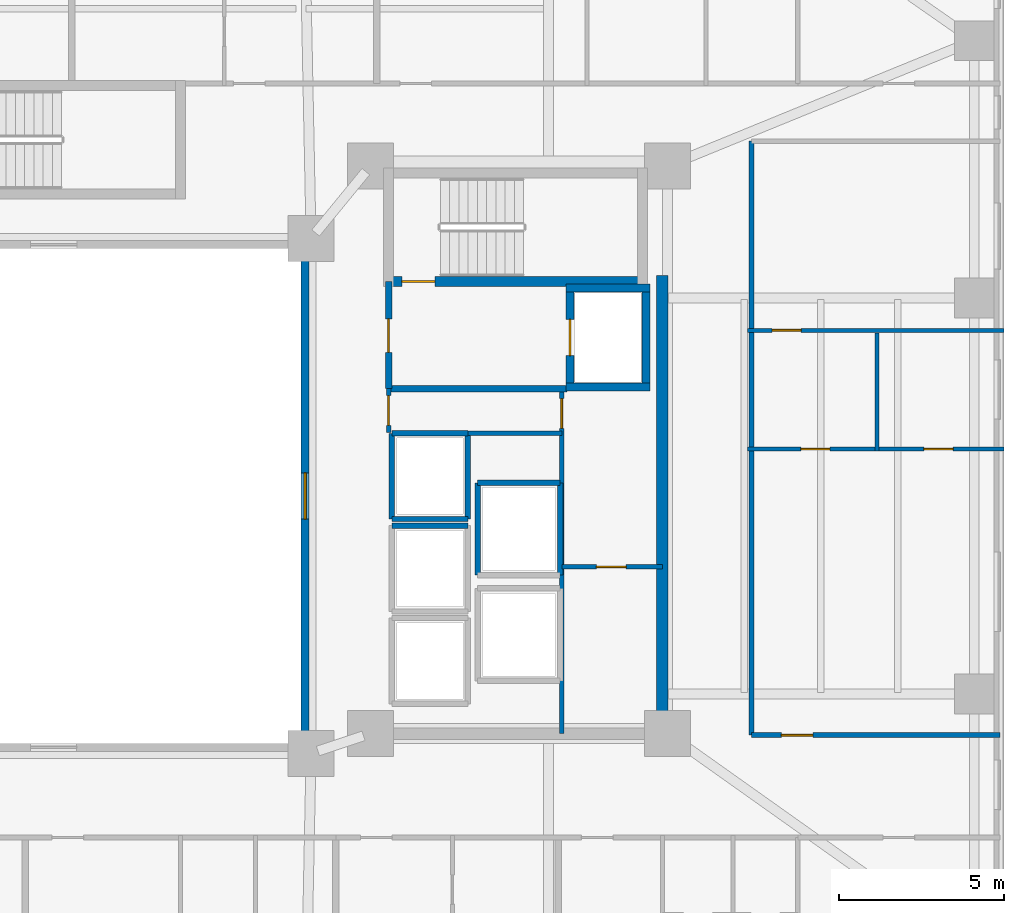
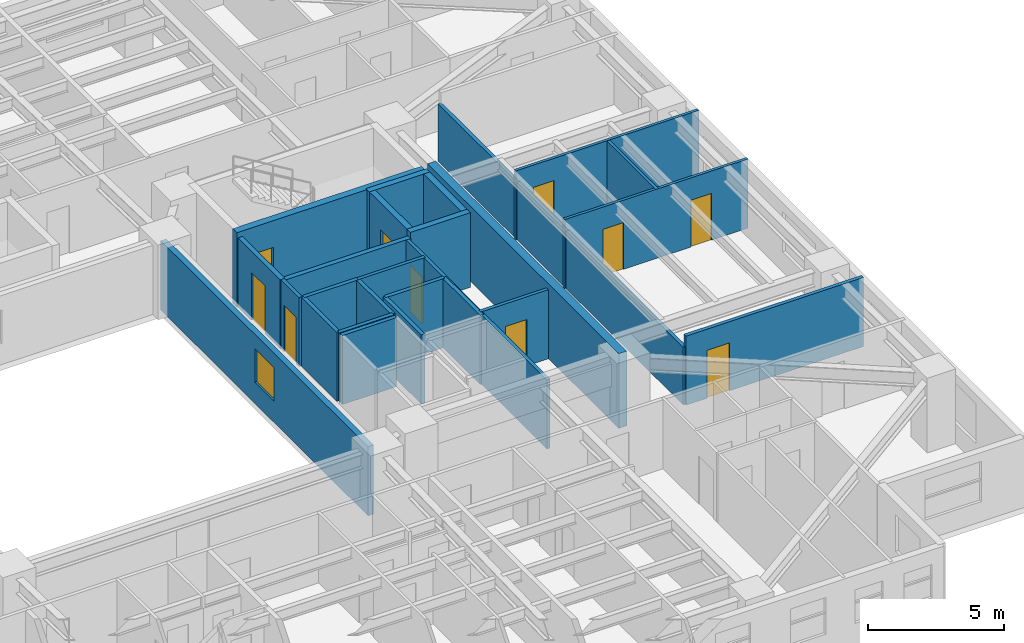
# One storey, part 13 of 21: 26 walls, 10 doors, 1 window, 11 openings.
"""IFC4 building model written with IfcOpenShell, lengths in metres."""

from ifc_helpers import new_model, si_unit, direction, frame, frame_2d, origin, place, context, subcontext, project, spatial, rectangle, extrude, material, layer, layer_set, type_object, element, fill, save


model = new_model("IFC4")

# Units and contexts
model_context = context("Model", 3, precision=1e-05, world=origin(), true_north=direction((0.0, 1.0)))
body_context = subcontext(model_context, "Body", "Model", "MODEL_VIEW")
ifc_project = project(units=[si_unit("LENGTHUNIT", "METRE"), si_unit("AREAUNIT", "SQUARE_METRE"), si_unit("VOLUMEUNIT", "CUBIC_METRE"), si_unit("PLANEANGLEUNIT", "RADIAN"), si_unit("MASSUNIT", "GRAM", prefix="KILO")], contexts=[model_context])

# Site, building, storey
site_placement = place(None, origin())
site = spatial("IfcSite", under=ifc_project, at=site_placement, CompositionType="ELEMENT")
building_placement = place(site_placement, origin())
building = spatial("IfcBuilding", under=site, at=building_placement, Name="Tarnavaz Court Tower", CompositionType="ELEMENT")
storey_placement = place(building_placement, frame((0.0, 0.0, 44.10009765625)))
storey = spatial("IfcBuildingStorey", under=building, at=storey_placement, Name="L11", CompositionType="ELEMENT", Elevation=44.10009765625)

# Wall, opening, door
ifc_material_1 = material(Name="Concrete C60/75", Category="concrete")
ifc_layer_1 = layer(ifc_material_1, 0.25)
ifc_layer_set_1 = layer_set([ifc_layer_1], Name="Concrete C60/75")
wall_type_1 = type_object("IfcWallType", Name="WL-CORE-250-C60", PredefinedType="SHEAR", material=ifc_layer_set_1)
wall_1_placement = place(storey_placement, frame((15.64990234375, 3.175048828125, 0.0), z_axis=(0.0, 0.0, 1.0), x_axis=(0.0, 1.0, 0.0)))
wall_1 = element("IfcWall", 1, at=wall_1_placement, inside=storey, type_object=wall_type_1, Name="L11 Lift FL-E1 Shaft Wall 045", PredefinedType="SHEAR", context=body_context, shape_type="SweptSolid", body=[
    extrude(rectangle(XDim=3.25, YDim=0.25, at=frame_2d((1.625, 0.0))), origin(), (0.0, 0.0, 1.0), 3.349853515625),
])
opening_1_placement = place(wall_1_placement, frame((1.074951171875, 0.0, 0.0)))
opening_1 = element("IfcOpeningElement", 2, at=opening_1_placement, cuts=wall_1, Name="Opening LD1", PredefinedType="OPENING", context=body_context, shape_type="SweptSolid", body=[
    extrude(rectangle(XDim=1.10009765625, YDim=2.14990234375, at=frame_2d((0.550048828125, 1.074951171875))), frame((0.0, 0.135009765625, 0.0), z_axis=(0.0, -1.0, 0.0), x_axis=(1.0, 0.0, 0.0)), (0.0, 0.0, 1.0), 0.27001953125),
])
ifc_material_2 = material(Name="Stainless Steel", Category="steel")
door_type_1 = type_object("IfcDoorType", Name="DR-LD-1100", OperationType="NOTDEFINED", PredefinedType="DOOR", material=ifc_material_2)
door_1_placement = place(opening_1_placement, origin())
door_1 = element("IfcDoor", 3, at=door_1_placement, inside=storey, type_object=door_type_1, Name="L11 Lift Landing Door LD-FL-E1", OperationType="SLIDING_TO_LEFT", OverallHeight=2.14990234375, OverallWidth=1.10009765625, PredefinedType="DOOR", context=body_context, shape_type="SweptSolid", body=[
    extrude(rectangle(XDim=1.10009765625, YDim=2.14990234375, at=frame_2d((0.550048828125, 1.074951171875))), frame((0.0, 0.02490234375, 0.0), z_axis=(0.0, -1.0, 0.0), x_axis=(1.0, 0.0, 0.0)), (0.0, 0.0, 1.0), 0.050048828125),
])
fill(opening_1, door_1)

# Walls
wall_2_placement = place(storey_placement, frame((17.949951171875, 3.175048828125, 0.0), z_axis=(0.0, 0.0, 1.0), x_axis=(0.0, 1.0, 0.0)))
element("IfcWall", 4, at=wall_2_placement, inside=storey, type_object=wall_type_1, Name="L11 Lift FL-E1 Shaft Wall 046", PredefinedType="SHEAR", context=body_context, shape_type="SweptSolid", body=[
    extrude(rectangle(XDim=3.25, YDim=0.25, at=frame_2d((1.625, 0.0))), origin(), (0.0, 0.0, 1.0), 3.349853515625),
])
for number, where, z_axis, x_axis, name in (
    (5, (15.52490234375, 3.300048828125, 0.0), (0.0, 0.0, 1.0), (1.0, 0.0, 0.0), "L11 Lift FL-E1 Shaft Wall 047"),
    (6, (15.52490234375, 6.300048828125, 0.0), (0.0, 0.0, 1.0), (1.0, 0.0, 0.0), "L11 Lift FL-E1 Shaft Wall 048"),
):
    element("IfcWall", number, at=place(storey_placement, frame(where, z_axis=z_axis, x_axis=x_axis)), inside=storey, type_object=wall_type_1, Name=name, PredefinedType="SHEAR", context=body_context, shape_type="SweptSolid", body=[
        extrude(rectangle(XDim=2.550048828125, YDim=0.25, at=frame_2d((1.27490234375, 0.0))), origin(), (0.0, 0.0, 1.0), 3.349853515625),
    ])

# Wall, opening, door
ifc_layer_2 = layer(ifc_material_1, 0.300048828125)
ifc_layer_set_2 = layer_set([ifc_layer_2], Name="Concrete C60/75")
wall_type_2 = type_object("IfcWallType", Name="WL-CORE-300-C60", PredefinedType="SHEAR", material=ifc_layer_set_2)
wall_3_placement = place(storey_placement, frame((10.0, 6.5, 0.0), z_axis=(0.0, 0.0, 1.0), x_axis=(1.0, 0.0, 0.0)))
wall_3 = element("IfcWall", 7, at=wall_3_placement, inside=storey, type_object=wall_type_2, Name="L11 East Stair Core Wall 006", PredefinedType="SHEAR", context=body_context, shape_type="SweptSolid", body=[
    extrude(rectangle(XDim=8.0, YDim=0.300048828125, at=frame_2d((4.0, 0.0))), origin(), (0.0, 0.0, 1.0), 3.349853515625),
])
opening_2_placement = place(wall_3_placement, frame((0.550048828125, 0.0, 0.0)))
opening_2 = element("IfcOpeningElement", 8, at=opening_2_placement, cuts=wall_3, Name="Opening D01", PredefinedType="OPENING", context=body_context, shape_type="SweptSolid", body=[
    extrude(rectangle(XDim=1.0, YDim=2.14990234375, at=frame_2d((0.5, 1.074951171875))), frame((0.0, 0.159912109375, 0.0), z_axis=(0.0, -1.0, 0.0), x_axis=(1.0, 0.0, 0.0)), (0.0, 0.0, 1.0), 0.320068359375),
])
ifc_material_3 = material(Name="Fire-Rated Hardwood Timber Core", Category="wood")
door_type_2 = type_object("IfcDoorType", Name="DR-FD90-1000", OperationType="NOTDEFINED", PredefinedType="DOOR", material=ifc_material_3)
door_2_placement = place(opening_2_placement, origin())
door_2 = element("IfcDoor", 9, at=door_2_placement, inside=storey, type_object=door_type_2, Name="L11 Stair ST-E1 Exit Door", OperationType="SINGLE_SWING_RIGHT", OverallHeight=2.14990234375, OverallWidth=1.0, PredefinedType="DOOR", context=body_context, shape_type="SweptSolid", body=[
    extrude(rectangle(XDim=1.0, YDim=2.14990234375, at=frame_2d((0.5, 1.074951171875))), frame((0.0, 0.02490234375, 0.0), z_axis=(0.0, -1.0, 0.0), x_axis=(1.0, 0.0, 0.0)), (0.0, 0.0, 1.0), 0.050048828125),
])
fill(opening_2, door_2)

# Walls
ifc_layer_3 = layer(ifc_material_1, 0.35009765625)
ifc_layer_set_3 = layer_set([ifc_layer_3], Name="Concrete C60/75")
wall_type_3 = type_object("IfcWallType", Name="WL-CORE-350-C60", PredefinedType="SHEAR", material=ifc_layer_set_3)
wall_4_placement = place(storey_placement, frame((18.449951171875, -7.375, 0.0), z_axis=(0.0, 0.0, 1.0), x_axis=(0.0, 1.0, 0.0)))
element("IfcWall", 10, at=wall_4_placement, inside=storey, type_object=wall_type_3, Name="L11 East Core Shear Wall 071", PredefinedType="SHEAR", context=body_context, shape_type="SweptSolid", body=[
    extrude(rectangle(XDim=14.050048828125, YDim=0.35009765625, at=frame_2d((7.02490234375, 0.0))), origin(), (0.0, 0.0, 1.0), 3.349853515625),
])
ifc_material_4 = material(Name="Gypsum Fire-Board on Acoustic Metal Stud", Category="masonry")
ifc_layer_4 = layer(ifc_material_4, 0.14990234375)
ifc_layer_set_4 = layer_set([ifc_layer_4], Name="Gypsum Fire-Board on Acoustic Metal Stud")
wall_type_4 = type_object("IfcWallType", Name="WL-FIRE-150", PredefinedType="PARTITIONING", material=ifc_layer_set_4)
wall_5_placement = place(storey_placement, frame((21.14990234375, -7.25, 0.0), z_axis=(0.0, 0.0, 1.0), x_axis=(0.0, 1.0, 0.0)))
element("IfcWall", 11, at=wall_5_placement, inside=storey, type_object=wall_type_4, Name="L11 East Outer Link Wall 083", PredefinedType="PARTITIONING", context=body_context, shape_type="SweptSolid", body=[
    extrude(rectangle(XDim=18.0, YDim=0.14990234375, at=frame_2d((9.0, 0.0))), origin(), (0.0, 0.0, 1.0), 2.5849609375),
])

# Wall, opening, door
wall_6_placement = place(storey_placement, frame((21.14990234375, -7.25, 0.0), z_axis=(0.0, 0.0, 1.0), x_axis=(1.0, 0.0, 0.0)))
wall_6 = element("IfcWall", 12, at=wall_6_placement, inside=storey, type_object=wall_type_4, Name="L11 Interior Partition 130", PredefinedType="PARTITIONING", context=body_context, shape_type="SweptSolid", body=[
    extrude(rectangle(XDim=7.530029296875, YDim=0.14990234375, at=frame_2d((3.76513671875, 0.0))), origin(), (0.0, 0.0, 1.0), 3.099853515625),
])
opening_3_placement = place(wall_6_placement, frame((0.89990234375, 0.0, 0.0)))
opening_3 = element("IfcOpeningElement", 13, at=opening_3_placement, cuts=wall_6, Name="Opening D06", PredefinedType="OPENING", context=body_context, shape_type="SweptSolid", body=[
    extrude(rectangle(XDim=0.9599609375, YDim=2.14990234375, at=frame_2d((0.47998046875, 1.074951171875))), frame((0.0, 0.0849609375, 0.0), z_axis=(0.0, -1.0, 0.0), x_axis=(1.0, 0.0, 0.0)), (0.0, 0.0, 1.0), 0.169921875),
])
door_type_3 = type_object("IfcDoorType", Name="DR-FD60-950", OperationType="NOTDEFINED", PredefinedType="DOOR", material=ifc_material_3)
door_3_placement = place(opening_3_placement, origin())
door_3 = element("IfcDoor", 14, at=door_3_placement, inside=storey, type_object=door_type_3, Name="L11 Flat 08 Entrance Door", OperationType="SINGLE_SWING_RIGHT", OverallHeight=2.14990234375, OverallWidth=0.9599609375, PredefinedType="DOOR", context=body_context, shape_type="SweptSolid", body=[
    extrude(rectangle(XDim=0.9599609375, YDim=2.14990234375, at=frame_2d((0.47998046875, 1.074951171875))), frame((0.0, 0.02490234375, 0.0), z_axis=(0.0, -1.0, 0.0), x_axis=(1.0, 0.0, 0.0)), (0.0, 0.0, 1.0), 0.050048828125),
])
fill(opening_3, door_3)

# Wall
ifc_material_5 = material(Name="Autoclaved Aerated Concrete Blockwork", Category="masonry")
ifc_layer_5 = layer(ifc_material_5, 0.199951171875)
ifc_layer_set_5 = layer_set([ifc_layer_5], Name="Autoclaved Aerated Concrete Blockwork")
wall_type_5 = type_object("IfcWallType", Name="WL-FIRE-200", PredefinedType="SOLIDWALL", material=ifc_layer_set_5)
wall_7_placement = place(storey_placement, frame((10.14990234375, 3.25, 0.0), z_axis=(0.0, 0.0, 1.0), x_axis=(1.0, 0.0, 0.0)))
element("IfcWall", 15, at=wall_7_placement, inside=storey, type_object=wall_type_5, Name="L11 East Firefighting Lobby Wall 015", PredefinedType="SOLIDWALL", context=body_context, shape_type="SweptSolid", body=[
    extrude(rectangle(XDim=5.400146484375, YDim=0.199951171875, at=frame_2d((2.7001953125, 0.0))), origin(), (0.0, 0.0, 1.0), 3.099853515625),
])

# Wall, opening, door
wall_8_placement = place(storey_placement, frame((10.14990234375, 3.25, 0.0), z_axis=(0.0, 0.0, 1.0), x_axis=(0.0, 1.0, 0.0)))
wall_8 = element("IfcWall", 16, at=wall_8_placement, inside=storey, type_object=wall_type_5, Name="L11 East Firefighting Lobby Wall 016", PredefinedType="SOLIDWALL", context=body_context, shape_type="SweptSolid", body=[
    extrude(rectangle(XDim=3.25, YDim=0.199951171875, at=frame_2d((1.625, 0.0))), origin(), (0.0, 0.0, 1.0), 3.099853515625),
])
opening_4_placement = place(wall_8_placement, frame((1.10009765625, 0.0, 0.0)))
opening_4 = element("IfcOpeningElement", 17, at=opening_4_placement, cuts=wall_8, Name="Opening D05", PredefinedType="OPENING", context=body_context, shape_type="SweptSolid", body=[
    extrude(rectangle(XDim=1.02001953125, YDim=2.14990234375, at=frame_2d((0.510009765625, 1.074951171875))), frame((0.0, 0.10986328125, 0.0), z_axis=(0.0, -1.0, 0.0), x_axis=(1.0, 0.0, 0.0)), (0.0, 0.0, 1.0), 0.219970703125),
])
door_type_4 = type_object("IfcDoorType", Name="DR-FD60-1000", OperationType="NOTDEFINED", PredefinedType="DOOR", material=ifc_material_3)
door_4_placement = place(opening_4_placement, origin())
door_4 = element("IfcDoor", 18, at=door_4_placement, inside=storey, type_object=door_type_4, Name="L11 East Firefighting Lobby Door", OperationType="SINGLE_SWING_LEFT", OverallHeight=2.14990234375, OverallWidth=1.02001953125, PredefinedType="DOOR", context=body_context, shape_type="SweptSolid", body=[
    extrude(rectangle(XDim=1.02001953125, YDim=2.14990234375, at=frame_2d((0.510009765625, 1.074951171875))), frame((0.0, 0.02490234375, 0.0), z_axis=(0.0, -1.0, 0.0), x_axis=(1.0, 0.0, 0.0)), (0.0, 0.0, 1.0), 0.050048828125),
])
fill(opening_4, door_4)

# Wall, openings, doors
ifc_material_6 = material(Name="Moisture-Resistant Gypsum Board Partition", Category="masonry")
ifc_layer_6 = layer(ifc_material_6, 0.1201171875)
ifc_layer_set_6 = layer_set([ifc_layer_6], Name="Moisture-Resistant Gypsum Board Partition")
wall_type_6 = type_object("IfcWallType", Name="WL-PART-120", PredefinedType="PARTITIONING", material=ifc_layer_set_6)
wall_9_placement = place(storey_placement, frame((21.030029296875, 1.419921875, 0.0), z_axis=(0.0, 0.0, 1.0), x_axis=(1.0, 0.0, 0.0)))
wall_9 = element("IfcWall", 19, at=wall_9_placement, inside=storey, type_object=wall_type_6, Name="L11 Interior Partition 143", PredefinedType="PARTITIONING", context=body_context, shape_type="SweptSolid", body=[
    extrude(rectangle(XDim=7.77001953125, YDim=0.1201171875, at=frame_2d((3.885009765625, 0.0))), origin(), (0.0, 0.0, 1.0), 3.099853515625),
])
opening_5_placement = place(wall_9_placement, frame((1.614990234375, 0.0, 0.0)))
opening_5 = element("IfcOpeningElement", 20, at=opening_5_placement, cuts=wall_9, Name="Opening D14", PredefinedType="OPENING", context=body_context, shape_type="SweptSolid", body=[
    extrude(rectangle(XDim=0.8798828125, YDim=2.10009765625, at=frame_2d((0.43994140625, 1.050048828125))), frame((0.0, 0.070068359375, 0.0), z_axis=(0.0, -1.0, 0.0), x_axis=(1.0, 0.0, 0.0)), (0.0, 0.0, 1.0), 0.14013671875),
])
opening_6_placement = place(wall_9_placement, frame((5.344970703125, 0.0, 0.0)))
opening_6 = element("IfcOpeningElement", 21, at=opening_6_placement, cuts=wall_9, Name="Opening D14", PredefinedType="OPENING", context=body_context, shape_type="SweptSolid", body=[
    extrude(rectangle(XDim=0.8798828125, YDim=2.10009765625, at=frame_2d((0.43994140625, 1.050048828125))), frame((0.0, 0.070068359375, 0.0), z_axis=(0.0, -1.0, 0.0), x_axis=(1.0, 0.0, 0.0)), (0.0, 0.0, 1.0), 0.14013671875),
])
ifc_material_7 = material(Name="Engineered Oak Timber", Category="wood")
door_type_5 = type_object("IfcDoorType", Name="DR-INT-900", OperationType="NOTDEFINED", PredefinedType="DOOR", material=ifc_material_7)
door_5_placement = place(opening_5_placement, origin())
door_5 = element("IfcDoor", 22, at=door_5_placement, inside=storey, type_object=door_type_5, Name="L11 Flat 08 Kitchen Door", OperationType="SINGLE_SWING_LEFT", OverallHeight=2.10009765625, OverallWidth=0.8798828125, PredefinedType="DOOR", context=body_context, shape_type="SweptSolid", body=[
    extrude(rectangle(XDim=0.8798828125, YDim=2.10009765625, at=frame_2d((0.43994140625, 1.050048828125))), frame((0.0, 0.02490234375, 0.0), z_axis=(0.0, -1.0, 0.0), x_axis=(1.0, 0.0, 0.0)), (0.0, 0.0, 1.0), 0.050048828125),
])
fill(opening_5, door_5)
door_6_placement = place(opening_6_placement, origin())
door_6 = element("IfcDoor", 23, at=door_6_placement, inside=storey, type_object=door_type_5, Name="L11 Flat 08 Bathroom Door", OperationType="SINGLE_SWING_RIGHT", OverallHeight=2.10009765625, OverallWidth=0.8798828125, PredefinedType="DOOR", context=body_context, shape_type="SweptSolid", body=[
    extrude(rectangle(XDim=0.8798828125, YDim=2.10009765625, at=frame_2d((0.43994140625, 1.050048828125))), frame((0.0, 0.02490234375, 0.0), z_axis=(0.0, -1.0, 0.0), x_axis=(1.0, 0.0, 0.0)), (0.0, 0.0, 1.0), 0.050048828125),
])
fill(opening_6, door_6)

# Wall, opening, door
wall_10_placement = place(storey_placement, frame((21.030029296875, 5.02001953125, 0.0), z_axis=(0.0, 0.0, 1.0), x_axis=(1.0, 0.0, 0.0)))
wall_10 = element("IfcWall", 24, at=wall_10_placement, inside=storey, type_object=wall_type_6, Name="L11 Interior Partition 144", PredefinedType="PARTITIONING", context=body_context, shape_type="SweptSolid", body=[
    extrude(rectangle(XDim=7.77001953125, YDim=0.1201171875, at=frame_2d((3.885009765625, 0.0))), origin(), (0.0, 0.0, 1.0), 3.099853515625),
])
opening_7_placement = place(wall_10_placement, frame((0.739990234375, 0.0, 0.0)))
opening_7 = element("IfcOpeningElement", 25, at=opening_7_placement, cuts=wall_10, Name="Opening D14", PredefinedType="OPENING", context=body_context, shape_type="SweptSolid", body=[
    extrude(rectangle(XDim=0.8798828125, YDim=2.10009765625, at=frame_2d((0.43994140625, 1.050048828125))), frame((0.0, 0.070068359375, 0.0), z_axis=(0.0, -1.0, 0.0), x_axis=(1.0, 0.0, 0.0)), (0.0, 0.0, 1.0), 0.14013671875),
])
door_7_placement = place(opening_7_placement, origin())
door_7 = element("IfcDoor", 26, at=door_7_placement, inside=storey, type_object=door_type_5, Name="L11 Flat 08 Study Door", OperationType="SINGLE_SWING_LEFT", OverallHeight=2.10009765625, OverallWidth=0.8798828125, PredefinedType="DOOR", context=body_context, shape_type="SweptSolid", body=[
    extrude(rectangle(XDim=0.8798828125, YDim=2.10009765625, at=frame_2d((0.43994140625, 1.050048828125))), frame((0.0, 0.02490234375, 0.0), z_axis=(0.0, -1.0, 0.0), x_axis=(1.0, 0.0, 0.0)), (0.0, 0.0, 1.0), 0.050048828125),
])
fill(opening_7, door_7)

# Walls
wall_11_placement = place(storey_placement, frame((24.949951171875, 1.360107421875, 0.0), z_axis=(0.0, 0.0, 1.0), x_axis=(0.0, 1.0, 0.0)))
element("IfcWall", 27, at=wall_11_placement, inside=storey, type_object=wall_type_6, Name="L11 Interior Partition 145", PredefinedType="PARTITIONING", context=body_context, shape_type="SweptSolid", body=[
    extrude(rectangle(XDim=3.579833984375, YDim=0.1201171875, at=frame_2d((1.7900390625, 0.0))), origin(), (0.0, 0.0, 1.0), 3.099853515625),
])
ifc_material_8 = material(Name="Gypsum Plasterboard Acoustic Partition", Category="masonry")
ifc_layer_7 = layer(ifc_material_8, 0.139892578125)
ifc_layer_set_7 = layer_set([ifc_layer_7], Name="Gypsum Plasterboard Acoustic Partition")
wall_type_7 = type_object("IfcWallType", Name="WL-PART-150", PredefinedType="PARTITIONING", material=ifc_layer_set_7)
wall_12_placement = place(storey_placement, frame((12.550048828125, 1.89990234375, 0.0), z_axis=(0.0, 0.0, 1.0), x_axis=(1.0, 0.0, 0.0)))
element("IfcWall", 28, at=wall_12_placement, inside=storey, type_object=wall_type_7, Name="L11 Interior Partition 077", PredefinedType="PARTITIONING", context=body_context, shape_type="SweptSolid", body=[
    extrude(rectangle(XDim=2.849853515625, YDim=0.139892578125, at=frame_2d((1.4248046875, 0.0))), origin(), (0.0, 0.0, 1.0), 3.099853515625),
])

# Wall, opening, door
wall_13_placement = place(storey_placement, frame((10.14990234375, 1.919921875, 0.0), z_axis=(0.0, 0.0, 1.0), x_axis=(0.0, 1.0, 0.0)))
wall_13 = element("IfcWall", 29, at=wall_13_placement, inside=storey, type_object=wall_type_7, Name="L11 Interior Partition 078", PredefinedType="PARTITIONING", context=body_context, shape_type="SweptSolid", body=[
    extrude(rectangle(XDim=1.330078125, YDim=0.139892578125, at=frame_2d((0.6650390625, 0.0))), origin(), (0.0, 0.0, 1.0), 3.099853515625),
])
opening_8_placement = place(wall_13_placement, frame((0.219970703125, 0.0, 0.0)))
opening_8 = element("IfcOpeningElement", 30, at=opening_8_placement, cuts=wall_13, Name="Opening D09", PredefinedType="OPENING", context=body_context, shape_type="SweptSolid", body=[
    extrude(rectangle(XDim=0.89990234375, YDim=2.080078125, at=frame_2d((0.449951171875, 1.0400390625))), frame((0.0, 0.079833984375, 0.0), z_axis=(0.0, -1.0, 0.0), x_axis=(1.0, 0.0, 0.0)), (0.0, 0.0, 1.0), 0.159912109375),
])
door_type_6 = type_object("IfcDoorType", Name="DR-FD30-900", OperationType="NOTDEFINED", PredefinedType="DOOR", material=ifc_material_3)
door_8_placement = place(opening_8_placement, origin())
door_8 = element("IfcDoor", 31, at=door_8_placement, inside=storey, type_object=door_type_6, Name="L11 East Core Service Lobby Door", OperationType="SINGLE_SWING_RIGHT", OverallHeight=2.080078125, OverallWidth=0.89990234375, PredefinedType="DOOR", context=body_context, shape_type="SweptSolid", body=[
    extrude(rectangle(XDim=0.89990234375, YDim=2.080078125, at=frame_2d((0.449951171875, 1.0400390625))), frame((0.0, 0.02490234375, 0.0), z_axis=(0.0, -1.0, 0.0), x_axis=(1.0, 0.0, 0.0)), (0.0, 0.0, 1.0), 0.050048828125),
])
fill(opening_8, door_8)

wall_14_placement = place(storey_placement, frame((15.39990234375, -7.199951171875, 0.0), z_axis=(0.0, 0.0, 1.0), x_axis=(0.0, 1.0, 0.0)))
wall_14 = element("IfcWall", 32, at=wall_14_placement, inside=storey, type_object=wall_type_7, Name="L11 Interior Partition 079", PredefinedType="PARTITIONING", context=body_context, shape_type="SweptSolid", body=[
    extrude(rectangle(XDim=10.449951171875, YDim=0.139892578125, at=frame_2d((5.22509765625, 0.0))), origin(), (0.0, 0.0, 1.0), 3.099853515625),
])
opening_9_placement = place(wall_14_placement, frame((9.25, 0.0, 0.0)))
opening_9 = element("IfcOpeningElement", 33, at=opening_9_placement, cuts=wall_14, Name="Opening D09", PredefinedType="OPENING", context=body_context, shape_type="SweptSolid", body=[
    extrude(rectangle(XDim=0.89990234375, YDim=2.080078125, at=frame_2d((0.449951171875, 1.0400390625))), frame((0.0, 0.079833984375, 0.0), z_axis=(0.0, -1.0, 0.0), x_axis=(1.0, 0.0, 0.0)), (0.0, 0.0, 1.0), 0.159912109375),
])
door_9_placement = place(opening_9_placement, origin())
door_9 = element("IfcDoor", 34, at=door_9_placement, inside=storey, type_object=door_type_6, Name="L11 East Wet Riser Door", OperationType="SINGLE_SWING_LEFT", OverallHeight=2.080078125, OverallWidth=0.89990234375, PredefinedType="DOOR", context=body_context, shape_type="SweptSolid", body=[
    extrude(rectangle(XDim=0.89990234375, YDim=2.080078125, at=frame_2d((0.449951171875, 1.0400390625))), frame((0.0, 0.02490234375, 0.0), z_axis=(0.0, -1.0, 0.0), x_axis=(1.0, 0.0, 0.0)), (0.0, 0.0, 1.0), 0.050048828125),
])
fill(opening_9, door_9)

wall_15_placement = place(storey_placement, frame((15.39990234375, -2.14990234375, 0.0), z_axis=(0.0, 0.0, 1.0), x_axis=(1.0, 0.0, 0.0)))
wall_15 = element("IfcWall", 35, at=wall_15_placement, inside=storey, type_object=wall_type_7, Name="L11 Interior Partition 080", PredefinedType="PARTITIONING", context=body_context, shape_type="SweptSolid", body=[
    extrude(rectangle(XDim=3.050048828125, YDim=0.139892578125, at=frame_2d((1.52490234375, 0.0))), origin(), (0.0, 0.0, 1.0), 3.099853515625),
])
opening_10_placement = place(wall_15_placement, frame((1.050048828125, 0.0, 0.0)))
opening_10 = element("IfcOpeningElement", 36, at=opening_10_placement, cuts=wall_15, Name="Opening D09", PredefinedType="OPENING", context=body_context, shape_type="SweptSolid", body=[
    extrude(rectangle(XDim=0.89990234375, YDim=2.080078125, at=frame_2d((0.449951171875, 1.0400390625))), frame((0.0, 0.079833984375, 0.0), z_axis=(0.0, -1.0, 0.0), x_axis=(1.0, 0.0, 0.0)), (0.0, 0.0, 1.0), 0.159912109375),
])
door_10_placement = place(opening_10_placement, origin())
door_10 = element("IfcDoor", 37, at=door_10_placement, inside=storey, type_object=door_type_6, Name="L11 East Electrical Plant Door", OperationType="SINGLE_SWING_RIGHT", OverallHeight=2.080078125, OverallWidth=0.89990234375, PredefinedType="DOOR", context=body_context, shape_type="SweptSolid", body=[
    extrude(rectangle(XDim=0.89990234375, YDim=2.080078125, at=frame_2d((0.449951171875, 1.0400390625))), frame((0.0, 0.02490234375, 0.0), z_axis=(0.0, -1.0, 0.0), x_axis=(1.0, 0.0, 0.0)), (0.0, 0.0, 1.0), 0.050048828125),
])
fill(opening_10, door_10)

# Walls
ifc_layer_8 = layer(ifc_material_5, 0.159912109375)
ifc_layer_set_8 = layer_set([ifc_layer_8], Name="Autoclaved Aerated Concrete Blockwork")
wall_type_8 = type_object("IfcWallType", Name="WL-SHAFT-150", PredefinedType="SOLIDWALL", material=ifc_layer_set_8)
wall_16_placement = place(storey_placement, frame((10.25, -0.89990234375, 0.0), z_axis=(0.0, 0.0, 1.0), x_axis=(1.0, 0.0, 0.0)))
element("IfcWall", 38, at=wall_16_placement, inside=storey, type_object=wall_type_8, Name="L11 Lift PL-M2 Shaft Wall 056", PredefinedType="SOLIDWALL", context=body_context, shape_type="SweptSolid", body=[
    extrude(rectangle(XDim=2.300048828125, YDim=0.159912109375, at=frame_2d((1.14990234375, 0.0))), origin(), (0.0, 0.0, 1.0), 3.099853515625),
])
for number, where, z_axis, x_axis, name in (
    (39, (10.25, -0.699951171875, 0.0), (0.0, 0.0, 1.0), (0.0, 1.0, 0.0), "L11 Lift PL-M3 Shaft Wall 057"),
    (40, (12.550048828125, -0.699951171875, 0.0), (0.0, 0.0, 1.0), (0.0, 1.0, 0.0), "L11 Lift PL-M3 Shaft Wall 058"),
):
    element("IfcWall", number, at=place(storey_placement, frame(where, z_axis=z_axis, x_axis=x_axis)), inside=storey, type_object=wall_type_8, Name=name, PredefinedType="SOLIDWALL", context=body_context, shape_type="SweptSolid", body=[
        extrude(rectangle(XDim=2.599853515625, YDim=0.159912109375, at=frame_2d((1.2998046875, 0.0))), origin(), (0.0, 0.0, 1.0), 3.099853515625),
    ])
for number, where, z_axis, x_axis, name in (
    (41, (10.25, -0.699951171875, 0.0), (0.0, 0.0, 1.0), (1.0, 0.0, 0.0), "L11 Lift PL-M3 Shaft Wall 059"),
    (42, (10.25, 1.89990234375, 0.0), (0.0, 0.0, 1.0), (1.0, 0.0, 0.0), "L11 Lift PL-M3 Shaft Wall 060"),
):
    element("IfcWall", number, at=place(storey_placement, frame(where, z_axis=z_axis, x_axis=x_axis)), inside=storey, type_object=wall_type_8, Name=name, PredefinedType="SOLIDWALL", context=body_context, shape_type="SweptSolid", body=[
        extrude(rectangle(XDim=2.300048828125, YDim=0.159912109375, at=frame_2d((1.14990234375, 0.0))), origin(), (0.0, 0.0, 1.0), 3.099853515625),
    ])
for number, where, z_axis, x_axis, name in (
    (43, (12.85009765625, -2.39990234375, 0.0), (0.0, 0.0, 1.0), (0.0, 1.0, 0.0), "L11 Lift PL-OB2 Shaft Wall 065"),
    (44, (15.35009765625, -2.39990234375, 0.0), (0.0, 0.0, 1.0), (0.0, 1.0, 0.0), "L11 Lift PL-OB2 Shaft Wall 066"),
):
    element("IfcWall", number, at=place(storey_placement, frame(where, z_axis=z_axis, x_axis=x_axis)), inside=storey, type_object=wall_type_8, Name=name, PredefinedType="SOLIDWALL", context=body_context, shape_type="SweptSolid", body=[
        extrude(rectangle(XDim=2.7998046875, YDim=0.159912109375, at=frame_2d((1.39990234375, 0.0))), origin(), (0.0, 0.0, 1.0), 3.099853515625),
    ])
wall_17_placement = place(storey_placement, frame((12.85009765625, 0.39990234375, 0.0), z_axis=(0.0, 0.0, 1.0), x_axis=(1.0, 0.0, 0.0)))
element("IfcWall", 45, at=wall_17_placement, inside=storey, type_object=wall_type_8, Name="L11 Lift PL-OB2 Shaft Wall 068", PredefinedType="SOLIDWALL", context=body_context, shape_type="SweptSolid", body=[
    extrude(rectangle(XDim=2.5, YDim=0.159912109375, at=frame_2d((1.25, 0.0))), origin(), (0.0, 0.0, 1.0), 3.099853515625),
])

# Wall, opening, window
ifc_material_9 = material(Name="Precast Concrete C40/50", Category="concrete")
ifc_layer_9 = layer(ifc_material_9, 0.239990234375)
ifc_layer_set_9 = layer_set([ifc_layer_9], Name="Precast Concrete C40/50")
wall_type_9 = type_object("IfcWallType", Name="WL-WELL-240", PredefinedType="SOLIDWALL", material=ifc_layer_set_9)
wall_18_placement = place(storey_placement, frame((7.6201171875, -7.6201171875, 0.0), z_axis=(0.0, 0.0, 1.0), x_axis=(0.0, 1.0, 0.0)))
wall_18 = element("IfcWall", 46, at=wall_18_placement, inside=storey, type_object=wall_type_9, Name="L11 Badgir Light-Well Exterior Wall E", PredefinedType="SOLIDWALL", context=body_context, shape_type="SweptSolid", body=[
    extrude(rectangle(XDim=15.240234375, YDim=0.239990234375, at=frame_2d((7.6201171875, 0.0))), origin(), (0.0, 0.0, 1.0), 3.099853515625),
])
opening_11_placement = place(wall_18_placement, frame((6.919921875, 0.0, 0.949951171875)))
opening_11 = element("IfcOpeningElement", 47, at=opening_11_placement, cuts=wall_18, Name="Opening W13", PredefinedType="OPENING", context=body_context, shape_type="SweptSolid", body=[
    extrude(rectangle(XDim=1.39990234375, YDim=1.5, at=frame_2d((0.699951171875, 0.75))), frame((0.0, 0.1298828125, 0.0), z_axis=(0.0, -1.0, 0.0), x_axis=(1.0, 0.0, 0.0)), (0.0, 0.0, 1.0), 0.260009765625),
])
ifc_material_10 = material(Name="Double-Glazed Solar Low-E Glass", Category="glass")
window_type = type_object("IfcWindowType", Name="WN-WEL-1400", PartitioningType="SINGLE_PANEL", PredefinedType="WINDOW", material=ifc_material_10)
window_placement = place(opening_11_placement, origin())
window = element("IfcWindow", 48, at=window_placement, inside=storey, type_object=window_type, Name="L11 Courtyard Gallery Window E", OverallHeight=1.5, OverallWidth=1.39990234375, PartitioningType="SINGLE_PANEL", PredefinedType="WINDOW", context=body_context, shape_type="SweptSolid", body=[
    extrude(rectangle(XDim=1.39990234375, YDim=1.5, at=frame_2d((0.699951171875, 0.75))), frame((0.0, 0.030029296875, 0.0), z_axis=(0.0, -1.0, 0.0), x_axis=(1.0, 0.0, 0.0)), (0.0, 0.0, 1.0), 0.06005859375),
])
fill(opening_11, window)

save(model, "model.ifc")
